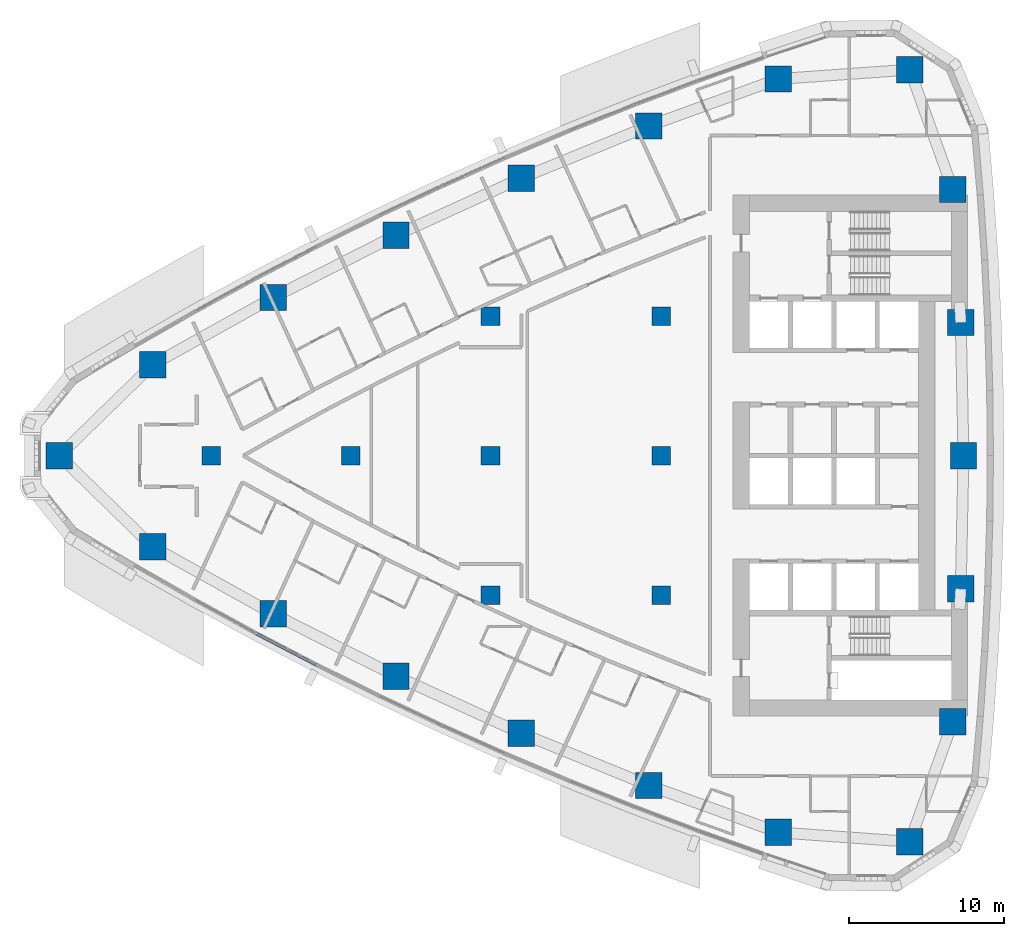
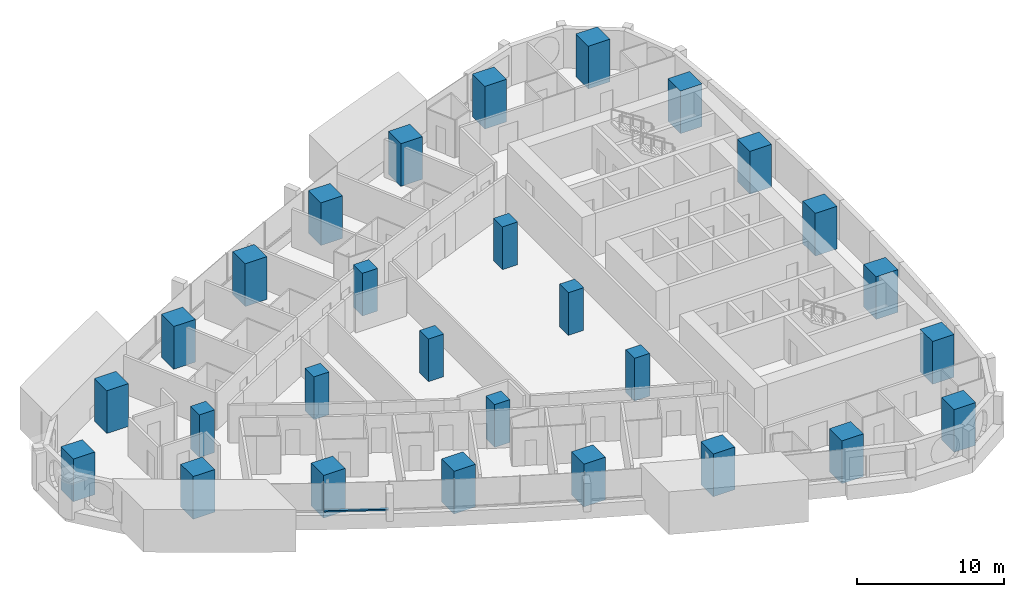
# One storey, part 1 of 17: 28 columns, 1 member, 1 element without a shape of its own.
"""IFC4 building model written with IfcOpenShell, lengths in metres."""

from ifc_helpers import new_model, si_unit, direction, frame, origin, origin_2d, place, context, subcontext, project, spatial, rectangle, extrude, material, layer, layer_set, material_profile, profile_set, type_object, element, aggregate, save


model = new_model("IFC4")

# Units and contexts
model_context = context("Model", 3, precision=1e-05, world=origin(), true_north=direction((0.0, 1.0)))
body_context = subcontext(model_context, "Body", "Model", "MODEL_VIEW")
ifc_project = project(units=[si_unit("LENGTHUNIT", "METRE"), si_unit("AREAUNIT", "SQUARE_METRE"), si_unit("VOLUMEUNIT", "CUBIC_METRE"), si_unit("PLANEANGLEUNIT", "RADIAN"), si_unit("MASSUNIT", "GRAM", prefix="KILO")], contexts=[model_context])

# Site, building, storey
site_placement = place(None, origin())
site = spatial("IfcSite", under=ifc_project, at=site_placement, CompositionType="ELEMENT")
building_placement = place(site_placement, origin())
building = spatial("IfcBuilding", under=site, at=building_placement, Name="Ostrand Prow Hotel Tower", CompositionType="ELEMENT")
storey_placement = place(building_placement, frame((0.0, 0.0, 116.85009765625)))
storey = spatial("IfcBuildingStorey", under=building, at=storey_placement, Name="L28", CompositionType="ELEMENT", Elevation=116.85009765625)

# Columns
ifc_material_1 = material(Name="Concrete C80/95", Category="concrete")
ifc_material_profile_1 = material_profile(ifc_material_1, rectangle(XDim=1.199951171875, YDim=1.199951171875, at=origin_2d()), Name="RC 1200x1200")
ifc_profile_set_1 = profile_set([ifc_material_profile_1], Name="Concrete C80/95")
column_type_1 = type_object("IfcColumnType", Name="Interior column 1200x1200 C80/95", PredefinedType="COLUMN", material=ifc_profile_set_1)
for number, where, z_axis, x_axis, name in (
    (1, (16.0, 0.0, 0.0), (0.0, 0.0, 1.0), (1.0, 0.0, 0.0), "Interior column 16C0"),
    (2, (25.0, 0.0, 0.0), (0.0, 0.0, 1.0), (1.0, 0.0, 0.0), "Interior column 25C0"),
    (3, (34.0, -9.0, 0.0), (0.0, 0.0, 1.0), (1.0, 0.0, 0.0), "Interior column 34S9"),
    (4, (34.0, 0.0, 0.0), (0.0, 0.0, 1.0), (1.0, 0.0, 0.0), "Interior column 34C0"),
    (5, (34.0, 9.0, 0.0), (0.0, 0.0, 1.0), (1.0, 0.0, 0.0), "Interior column 34N9"),
    (6, (45.0, -9.0, 0.0), (0.0, 0.0, 1.0), (1.0, 0.0, 0.0), "Interior column 45S9"),
    (7, (45.0, 0.0, 0.0), (0.0, 0.0, 1.0), (1.0, 0.0, 0.0), "Interior column 45C0"),
    (8, (45.0, 9.0, 0.0), (0.0, 0.0, 1.0), (1.0, 0.0, 0.0), "Interior column 45N9"),
):
    element("IfcColumn", number, at=place(storey_placement, frame(where, z_axis=z_axis, x_axis=x_axis)), inside=storey, type_object=column_type_1, Name=name, PredefinedType="COLUMN", context=body_context, shape_type="SweptSolid", body=[
        extrude(rectangle(XDim=1.199951171875, YDim=1.199951171875, at=origin_2d()), origin(), (0.0, 0.0, 1.0), 3.5498046875),
    ])
ifc_material_2 = material(Name="Concrete C80/95", Category="concrete")
ifc_material_profile_2 = material_profile(ifc_material_2, rectangle(XDim=1.699951171875, YDim=1.699951171875, at=origin_2d()), Name="RC 1700x1700")
ifc_profile_set_2 = profile_set([ifc_material_profile_2], Name="Concrete C80/95")
column_type_2 = type_object("IfcColumnType", Name="Stone-faced mega column 1700x1700 C80/95", PredefinedType="COLUMN", material=ifc_profile_set_2)
for number, where, z_axis, x_axis, name in (
    (9, (6.193115234375, 0.0, 0.0), (0.0, 0.0, 1.0), (1.0, 0.0, 0.0), "Mega column P"),
    (10, (12.221435546875, -5.876220703125, 0.0), (0.0, 0.0, 1.0), (1.0, 0.0, 0.0), "Mega column S1"),
    (11, (19.980712890625, -10.20166015625, 0.0), (0.0, 0.0, 1.0), (1.0, 0.0, 0.0), "Mega column S2"),
    (12, (27.906982421875, -14.212158203125, 0.0), (0.0, 0.0, 1.0), (1.0, 0.0, 0.0), "Mega column S3"),
    (13, (35.98828125, -17.901611328125, 0.0), (0.0, 0.0, 1.0), (1.0, 0.0, 0.0), "Mega column S4"),
    (14, (44.210693359375, -21.263671875, 0.0), (0.0, 0.0, 1.0), (1.0, 0.0, 0.0), "Mega column S5"),
    (15, (52.561767578125, -24.29296875, 0.0), (0.0, 0.0, 1.0), (1.0, 0.0, 0.0), "Mega column S6"),
    (16, (61.0400390625, -24.89697265625, 0.0), (0.0, 0.0, 1.0), (1.0, 0.0, 0.0), "Mega column SE"),
    (17, (63.815673828125, -17.16357421875, 0.0), (0.0, 0.0, 1.0), (1.0, 0.0, 0.0), "Mega column B1"),
    (18, (64.328857421875, -8.588623046875, 0.0), (0.0, 0.0, 1.0), (1.0, 0.0, 0.0), "Mega column B2"),
    (19, (64.5, 0.0, 0.0), (0.0, 0.0, 1.0), (1.0, 0.0, 0.0), "Mega column B3"),
    (20, (64.328857421875, 8.588623046875, 0.0), (0.0, 0.0, 1.0), (1.0, 0.0, 0.0), "Mega column B4"),
    (21, (63.815673828125, 17.16357421875, 0.0), (0.0, 0.0, 1.0), (1.0, 0.0, 0.0), "Mega column B5"),
    (22, (61.0400390625, 24.89697265625, 0.0), (0.0, 0.0, 1.0), (1.0, 0.0, 0.0), "Mega column NE"),
    (23, (52.561767578125, 24.29296875, 0.0), (0.0, 0.0, 1.0), (1.0, 0.0, 0.0), "Mega column N1"),
    (24, (44.210693359375, 21.263671875, 0.0), (0.0, 0.0, 1.0), (1.0, 0.0, 0.0), "Mega column N2"),
    (25, (35.98828125, 17.901611328125, 0.0), (0.0, 0.0, 1.0), (1.0, 0.0, 0.0), "Mega column N3"),
    (26, (27.906982421875, 14.212158203125, 0.0), (0.0, 0.0, 1.0), (1.0, 0.0, 0.0), "Mega column N4"),
    (27, (19.980712890625, 10.20166015625, 0.0), (0.0, 0.0, 1.0), (1.0, 0.0, 0.0), "Mega column N5"),
    (28, (12.221435546875, 5.876220703125, 0.0), (0.0, 0.0, 1.0), (1.0, 0.0, 0.0), "Mega column N6"),
):
    element("IfcColumn", number, at=place(storey_placement, frame(where, z_axis=z_axis, x_axis=x_axis)), inside=storey, type_object=column_type_2, Name=name, PredefinedType="COLUMN", context=body_context, shape_type="SweptSolid", body=[
        extrude(rectangle(XDim=1.699951171875, YDim=1.699951171875, at=origin_2d()), origin(), (0.0, 0.0, 1.0), 3.5498046875),
    ])

# Curtain wall, member
ifc_material_3 = material(Name="Insulated glass in bronze anodised frame", Category="glass")
ifc_layer = layer(ifc_material_3, 0.199951171875)
ifc_layer_set = layer_set([ifc_layer], Name="Insulated glass in bronze anodised frame")
curtain_wall_type = type_object("IfcCurtainWallType", Name="Strip curtain wall, fritted glass over bronze spandrel", PredefinedType="NOTDEFINED", material=ifc_layer_set)
curtain_wall_placement = place(storey_placement, origin())
curtain_wall = element("IfcCurtainWall", 29, at=curtain_wall_placement, inside=storey, type_object=curtain_wall_type, Name="CW1 run CWS2", PredefinedType="NOTDEFINED")
ifc_material_4 = material(Name="Bronze anodised aluminium", Category="aluminium")
ifc_material_profile_3 = material_profile(ifc_material_4, rectangle(XDim=0.199951171875, YDim=0.1201171875, at=origin_2d()), Name="Transom 120x200 bronze anodised aluminium")
ifc_profile_set_3 = profile_set([ifc_material_profile_3], Name="Bronze anodised aluminium")
member_type = type_object("IfcMemberType", Name="Transom 120x200 bronze anodised aluminium", PredefinedType="USERDEFINED", material=ifc_profile_set_3)
member_placement = place(storey_placement, frame((18.89697265625, -11.475830078125, 0.9599609375), z_axis=(0.886901787206, -0.461958028235, 0.0), x_axis=(0.461958028235, 0.886901787206, 0.0)))
member = element("IfcMember", 30, at=member_placement, type_object=member_type, Name="CW1 transom 1.1", ObjectType="TRANSOM", PredefinedType="USERDEFINED", context=body_context, shape_type="SweptSolid", body=[
    extrude(rectangle(XDim=0.199951171875, YDim=0.1201171875, at=origin_2d()), origin(), (0.0, 0.0, 1.0), 4.406005859375),
])
aggregate(curtain_wall, [member])

save(model, "model.ifc")
